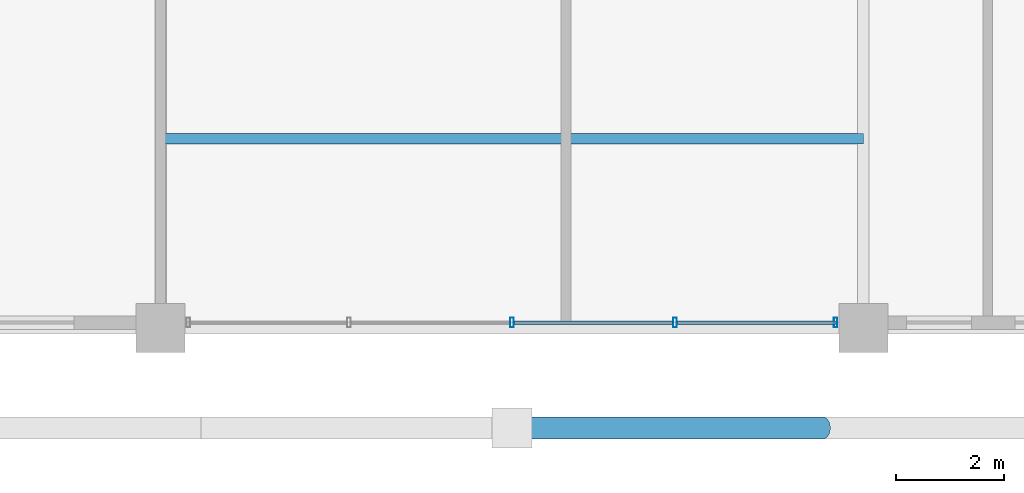
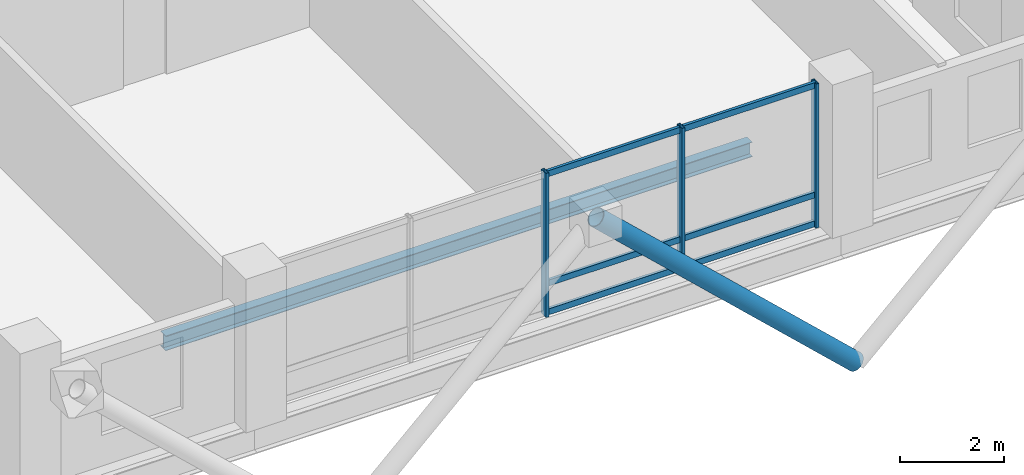
# One storey, part 5 of 22: 10 members, 1 beam, 1 element without a shape of its own.
"""IFC4 building model written with IfcOpenShell, lengths in metres."""

from ifc_helpers import new_model, si_unit, direction, frame, origin, origin_2d, place, context, subcontext, project, spatial, hollow_rectangle, hollow_circle, i_section, extrude, material, layer, layer_set, material_profile, profile_set, type_object, element, aggregate, save


model = new_model("IFC4")

# Units and contexts
model_context = context("Model", 3, precision=1e-05, world=origin(), true_north=direction((0.0, 1.0)))
body_context = subcontext(model_context, "Body", "Model", "MODEL_VIEW")
ifc_project = project(units=[si_unit("LENGTHUNIT", "METRE"), si_unit("AREAUNIT", "SQUARE_METRE"), si_unit("VOLUMEUNIT", "CUBIC_METRE"), si_unit("PLANEANGLEUNIT", "RADIAN"), si_unit("MASSUNIT", "GRAM", prefix="KILO")], contexts=[model_context])

# Site, building, storey
site_placement = place(None, origin())
site = spatial("IfcSite", under=ifc_project, at=site_placement, CompositionType="ELEMENT")
building_placement = place(site_placement, origin())
building = spatial("IfcBuilding", under=site, at=building_placement, Name="Barlavira Tower and Art Museum", CompositionType="ELEMENT")
storey_placement = place(building_placement, frame((0.0, 0.0, 258.300048828125)))
storey = spatial("IfcBuildingStorey", under=building, at=storey_placement, Name="L67", CompositionType="ELEMENT", Elevation=258.300048828125)

# Curtain wall, members
ifc_material_1 = material(Name="Low-iron coastal laminated glass", Category="glass")
ifc_layer = layer(ifc_material_1, 0.2099609375, Name="Low-iron coastal laminated glass")
ifc_layer_set = layer_set([ifc_layer], Name="Low-iron coastal laminated glass")
curtain_wall_type = type_object("IfcCurtainWallType", Name="Pale-Metal Unitised Curtain Wall Zone 4", PredefinedType="NOTDEFINED", material=ifc_layer_set)
curtain_wall_placement = place(storey_placement, origin())
curtain_wall = element("IfcCurtainWall", 1, at=curtain_wall_placement, inside=storey, type_object=curtain_wall_type, Name="L67 Curtain Wall CW4-L67-S-B2", PredefinedType="NOTDEFINED")
ifc_material_2 = material(Name="Pale anodised aluminium", Category="aluminium")
ifc_material_profile_1 = material_profile(ifc_material_2, hollow_rectangle(XDim=0.06494140625, YDim=0.179931640625, WallThickness=0.00390625, at=origin_2d()), Name="ALU-MULL 65x180x4")
ifc_profile_set_1 = profile_set([ifc_material_profile_1], Name="Pale anodised aluminium")
member_type_1 = type_object("IfcMemberType", Name="Curtain Wall Pale-Metal Mullion 65x180", PredefinedType="MULLION", material=ifc_profile_set_1)
member_1_placement = place(storey_placement, frame((0.0, -19.89990234375, 0.0), z_axis=(0.0, 0.0, 1.0), x_axis=(1.0, 0.0, 0.0)))
member_1 = element("IfcMember", 2, at=member_1_placement, type_object=member_type_1, Name="CW4-L67-S-B2 Mullion 2", PredefinedType="MULLION", context=body_context, shape_type="SweptSolid", body=[
    extrude(hollow_rectangle(XDim=0.06494140625, YDim=0.179931640625, WallThickness=0.00390625, at=origin_2d()), origin(), (0.0, 0.0, 1.0), 3.3798828125),
])
member_2_placement = place(storey_placement, frame((3.014892578125, -19.89990234375, 0.0), z_axis=(0.0, 0.0, 1.0), x_axis=(1.0, 0.0, 0.0)))
member_2 = element("IfcMember", 3, at=member_2_placement, type_object=member_type_1, Name="CW4-L67-S-B2 Mullion 3", PredefinedType="MULLION", context=body_context, shape_type="SweptSolid", body=[
    extrude(hollow_rectangle(XDim=0.06494140625, YDim=0.179931640625, WallThickness=0.00390625, at=origin_2d()), origin(), (0.0, 0.0, 1.0), 3.3798828125),
])
member_3_placement = place(storey_placement, frame((5.985107421875, -19.89990234375, 0.0), z_axis=(0.0, 0.0, 1.0), x_axis=(1.0, 0.0, 0.0)))
member_3 = element("IfcMember", 4, at=member_3_placement, type_object=member_type_1, Name="CW4-L67-S-B2 Mullion 4", PredefinedType="MULLION", context=body_context, shape_type="SweptSolid", body=[
    extrude(hollow_rectangle(XDim=0.06494140625, YDim=0.179931640625, WallThickness=0.00390625, at=origin_2d()), origin(), (0.0, 0.0, 1.0), 3.3798828125),
])
ifc_material_profile_2 = material_profile(ifc_material_2, hollow_rectangle(XDim=0.06494140625, YDim=0.139892578125, WallThickness=0.00390625, at=origin_2d()), Name="ALU-TRAN 65x140x4")
ifc_profile_set_2 = profile_set([ifc_material_profile_2], Name="Pale anodised aluminium")
member_type_2 = type_object("IfcMemberType", Name="Curtain Wall Pale-Metal Transom 65x140", PredefinedType="USERDEFINED", material=ifc_profile_set_2)
member_4_placement = place(storey_placement, frame((0.044921875, -19.89990234375, 0.070068359375), z_axis=(1.0, 0.0, 0.0), x_axis=(0.0, 1.0, 0.0)))
member_4 = element("IfcMember", 5, at=member_4_placement, type_object=member_type_2, Name="CW4-L67-S-B2 Transom 2.1", ObjectType="TRANSOM", PredefinedType="USERDEFINED", context=body_context, shape_type="SweptSolid", body=[
    extrude(hollow_rectangle(XDim=0.06494140625, YDim=0.139892578125, WallThickness=0.00390625, at=origin_2d()), origin(), (0.0, 0.0, 1.0), 2.925048828125),
])
member_5_placement = place(storey_placement, frame((0.044921875, -19.89990234375, 0.743896484375), z_axis=(1.0, 0.0, 0.0), x_axis=(0.0, 1.0, 0.0)))
member_5 = element("IfcMember", 6, at=member_5_placement, type_object=member_type_2, Name="CW4-L67-S-B2 Transom 2.2", ObjectType="TRANSOM", PredefinedType="USERDEFINED", context=body_context, shape_type="SweptSolid", body=[
    extrude(hollow_rectangle(XDim=0.06494140625, YDim=0.139892578125, WallThickness=0.00390625, at=origin_2d()), origin(), (0.0, 0.0, 1.0), 2.925048828125),
])
member_6_placement = place(storey_placement, frame((0.044921875, -19.89990234375, 3.31005859375), z_axis=(1.0, 0.0, 0.0), x_axis=(0.0, 1.0, 0.0)))
member_6 = element("IfcMember", 7, at=member_6_placement, type_object=member_type_2, Name="CW4-L67-S-B2 Transom 2.3", ObjectType="TRANSOM", PredefinedType="USERDEFINED", context=body_context, shape_type="SweptSolid", body=[
    extrude(hollow_rectangle(XDim=0.06494140625, YDim=0.139892578125, WallThickness=0.00390625, at=origin_2d()), origin(), (0.0, 0.0, 1.0), 2.925048828125),
])
member_7_placement = place(storey_placement, frame((3.06005859375, -19.89990234375, 0.070068359375), z_axis=(1.0, 0.0, 0.0), x_axis=(0.0, 1.0, 0.0)))
member_7 = element("IfcMember", 8, at=member_7_placement, type_object=member_type_2, Name="CW4-L67-S-B2 Transom 3.1", ObjectType="TRANSOM", PredefinedType="USERDEFINED", context=body_context, shape_type="SweptSolid", body=[
    extrude(hollow_rectangle(XDim=0.06494140625, YDim=0.139892578125, WallThickness=0.00390625, at=origin_2d()), origin(), (0.0, 0.0, 1.0), 2.925048828125),
])
member_8_placement = place(storey_placement, frame((3.06005859375, -19.89990234375, 0.743896484375), z_axis=(1.0, 0.0, 0.0), x_axis=(0.0, 1.0, 0.0)))
member_8 = element("IfcMember", 9, at=member_8_placement, type_object=member_type_2, Name="CW4-L67-S-B2 Transom 3.2", ObjectType="TRANSOM", PredefinedType="USERDEFINED", context=body_context, shape_type="SweptSolid", body=[
    extrude(hollow_rectangle(XDim=0.06494140625, YDim=0.139892578125, WallThickness=0.00390625, at=origin_2d()), origin(), (0.0, 0.0, 1.0), 2.925048828125),
])
member_9_placement = place(storey_placement, frame((3.06005859375, -19.89990234375, 3.31005859375), z_axis=(1.0, 0.0, 0.0), x_axis=(0.0, 1.0, 0.0)))
member_9 = element("IfcMember", 10, at=member_9_placement, type_object=member_type_2, Name="CW4-L67-S-B2 Transom 3.3", ObjectType="TRANSOM", PredefinedType="USERDEFINED", context=body_context, shape_type="SweptSolid", body=[
    extrude(hollow_rectangle(XDim=0.06494140625, YDim=0.139892578125, WallThickness=0.00390625, at=origin_2d()), origin(), (0.0, 0.0, 1.0), 2.925048828125),
])
aggregate(curtain_wall, [member_1, member_2, member_3, member_4, member_5, member_6, member_7, member_8, member_9])

# Member
ifc_material_3 = material(Name="Steel S355", Category="steel")
ifc_material_profile_3 = material_profile(ifc_material_3, hollow_circle(Radius=0.203125, WallThickness=0.01611328125, at=origin_2d()), Name="CHS 406.4x16.0")
ifc_profile_set_3 = profile_set([ifc_material_profile_3], Name="Steel S355")
member_type_3 = type_object("IfcMemberType", Name="Pale-Metal Exoskeleton Diagrid Tube CHS 406x16 Steel S355", PredefinedType="BRACE", material=ifc_profile_set_3)
member_10_placement = place(storey_placement, frame((5.75, -21.85009765625, -1.920166015625), z_axis=(-0.728934650808, 0.0, 0.684583285548), x_axis=(0.0, -1.0, 0.0)))
element("IfcMember", 11, at=member_10_placement, inside=storey, type_object=member_type_3, Name="L67 Exoskeleton Diagrid Tube S", PredefinedType="BRACE", context=body_context, shape_type="SweptSolid", body=[
    extrude(hollow_circle(Radius=0.203125, WallThickness=0.01611328125, at=origin_2d()), origin(), (0.0, 0.0, 1.0), 7.88818359375),
])

# Beam
ifc_material_profile_4 = material_profile(ifc_material_3, i_section(OverallWidth=0.202880859375, OverallDepth=0.346923828125, WebThickness=0.0078125, FlangeThickness=0.013427734375, at=origin_2d()), Name="W360x64.0")
ifc_profile_set_4 = profile_set([ifc_material_profile_4], Name="Steel S355")
beam_type = type_object("IfcBeamType", Name="Zone 4 Composite Floor Joist W360x64 Steel S355", PredefinedType="JOIST", material=ifc_profile_set_4)
beam_placement = place(storey_placement, frame((-6.5, -16.5, -0.3935546875), z_axis=(1.0, 0.0, 0.0), x_axis=(0.0, 1.0, 0.0)))
element("IfcBeam", 12, at=beam_placement, inside=storey, type_object=beam_type, Name="L67 Joist C1", PredefinedType="JOIST", context=body_context, shape_type="SweptSolid", body=[
    extrude(i_section(OverallWidth=0.202880859375, OverallDepth=0.346923828125, WebThickness=0.0078125, FlangeThickness=0.013427734375, at=origin_2d()), origin(), (0.0, 0.0, 1.0), 13.0),
])

save(model, "model.ifc")
